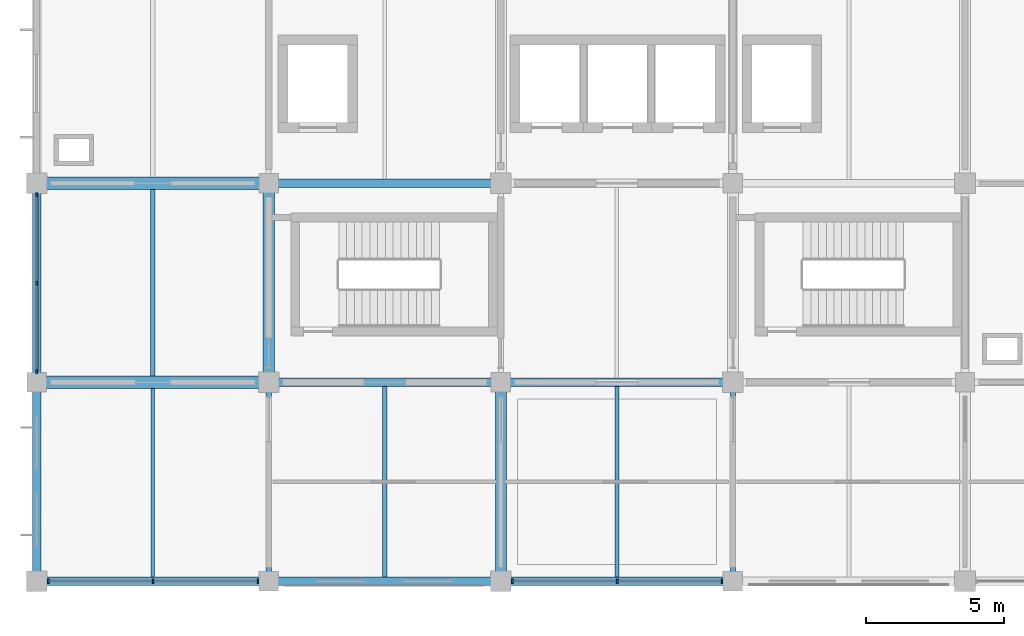
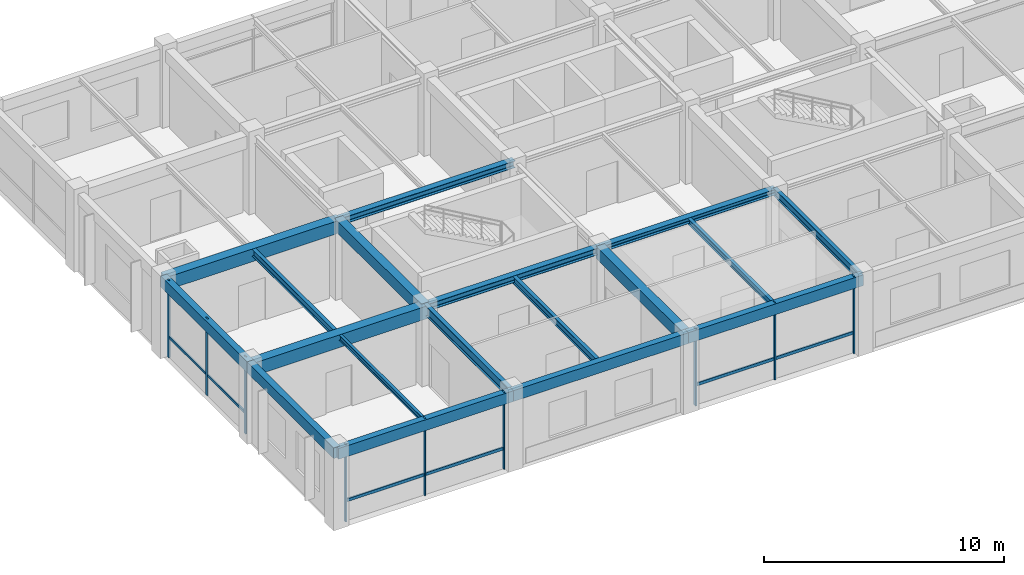
# One storey, part 2 of 14: 18 beams, 15 members, 3 elements without a shape of their own.
"""IFC4 building model written with IfcOpenShell, lengths in metres."""

from ifc_helpers import new_model, si_unit, derived_unit, direction, frame, origin, origin_2d, place, context, subcontext, project, spatial, rectangle, i_section, extrude, material, material_profile, profile_set, type_object, element, aggregate, save


model = new_model("IFC4")

# Units and contexts
model_context = context("Model", 3, precision=1e-05, world=origin(), true_north=direction((0.0, 1.0)))
body_context = subcontext(model_context, "Body", "Model", "MODEL_VIEW")
ifc_project = project(units=[si_unit("LENGTHUNIT", "METRE"), si_unit("AREAUNIT", "SQUARE_METRE"), si_unit("VOLUMEUNIT", "CUBIC_METRE"), si_unit("PLANEANGLEUNIT", "RADIAN"), si_unit("MASSUNIT", "GRAM", prefix="KILO"), derived_unit("THERMALTRANSMITTANCEUNIT", [(si_unit("MASSUNIT", "GRAM", prefix="KILO"), 1), (si_unit("TIMEUNIT", "SECOND"), -3), (si_unit("THERMODYNAMICTEMPERATUREUNIT", "KELVIN"), -1)])], contexts=[model_context])

# Site, building, storey
site_placement = place(None, origin())
site = spatial("IfcSite", under=ifc_project, at=site_placement, CompositionType="ELEMENT")
building_placement = place(site_placement, origin())
building = spatial("IfcBuilding", under=site, at=building_placement, Name="Veldstrom Oceanarium and Marine Research Institute", CompositionType="ELEMENT")
storey_placement = place(building_placement, frame((0.0, 0.0, 35.39990234375)))
storey = spatial("IfcBuildingStorey", under=building, at=storey_placement, Name="L07", CompositionType="ELEMENT", Elevation=35.39990234375)

# Curtain wall, members
ifc_material_1 = material(Name="Anodised Aluminium Framing", Category="aluminium")
curtain_wall_type_1 = type_object("IfcCurtainWallType", Name="ARC-CW-CW04", PredefinedType="USERDEFINED", material=ifc_material_1)
curtain_wall_1_placement = place(storey_placement, origin())
curtain_wall_1 = element("IfcCurtainWall", 1, at=curtain_wall_1_placement, inside=storey, type_object=curtain_wall_type_1, Name="Curtain Wall CW04 CW-L07-112", ObjectType="Curtain wall", PredefinedType="USERDEFINED")
ifc_material_2 = material(Name="Anodised Aluminium Framing", Category="aluminium")
ifc_material_profile_1 = material_profile(ifc_material_2, rectangle(XDim=0.06494140625, YDim=0.14990234375, at=origin_2d()), Name="ALU-MUL-65x150")
ifc_profile_set_1 = profile_set([ifc_material_profile_1], Name="Anodised Aluminium Framing")
member_type_1 = type_object("IfcMemberType", Name="ARC-MUL-ML2", PredefinedType="MULLION", material=ifc_profile_set_1)
member_1_placement = place(storey_placement, frame((67.614990234375, 43.199951171875, 0.0), z_axis=(0.0, 0.0, 1.0), x_axis=(1.0, 0.0, 0.0)))
member_1 = element("IfcMember", 2, at=member_1_placement, type_object=member_type_1, Name="Curtain Wall Mullion CW-L07-112-MUL-1", PredefinedType="MULLION", context=body_context, shape_type="SweptSolid", body=[
    extrude(rectangle(XDim=0.06494140625, YDim=0.14990234375, at=origin_2d()), origin(), (0.0, 0.0, 1.0), 3.920166015625),
])
member_2_placement = place(storey_placement, frame((71.41259765625, 43.199951171875, 0.0), z_axis=(0.0, 0.0, 1.0), x_axis=(1.0, 0.0, 0.0)))
member_2 = element("IfcMember", 3, at=member_2_placement, type_object=member_type_1, Name="Curtain Wall Mullion CW-L07-112-MUL-2", PredefinedType="MULLION", context=body_context, shape_type="SweptSolid", body=[
    extrude(rectangle(XDim=0.06494140625, YDim=0.14990234375, at=origin_2d()), origin(), (0.0, 0.0, 1.0), 3.920166015625),
])
member_3_placement = place(storey_placement, frame((75.2099609375, 43.199951171875, 0.0), z_axis=(0.0, 0.0, 1.0), x_axis=(1.0, 0.0, 0.0)))
member_3 = element("IfcMember", 4, at=member_3_placement, type_object=member_type_1, Name="Curtain Wall Mullion CW-L07-112-MUL-3", PredefinedType="MULLION", context=body_context, shape_type="SweptSolid", body=[
    extrude(rectangle(XDim=0.06494140625, YDim=0.14990234375, at=origin_2d()), origin(), (0.0, 0.0, 1.0), 3.920166015625),
])

ifc_material_3 = material(Name="Anodised Aluminium Framing", Category="aluminium")
curtain_wall_type_2 = type_object("IfcCurtainWallType", Name="ARC-CW-CW08", PredefinedType="USERDEFINED", material=ifc_material_3)
curtain_wall_2_placement = place(storey_placement, origin())
curtain_wall_2 = element("IfcCurtainWall", 5, at=curtain_wall_2_placement, inside=storey, type_object=curtain_wall_type_2, Name="Curtain Wall CW08 CW-L07-113", ObjectType="Curtain wall", PredefinedType="USERDEFINED")
member_4_placement = place(storey_placement, frame((67.199951171875, 50.7900390625, 0.0), z_axis=(0.0, 0.0, 1.0), x_axis=(1.0, 0.0, 0.0)))
member_4 = element("IfcMember", 6, at=member_4_placement, type_object=member_type_1, Name="Curtain Wall Mullion CW-L07-113-MUL-1", PredefinedType="MULLION", context=body_context, shape_type="SweptSolid", body=[
    extrude(rectangle(XDim=0.06494140625, YDim=0.14990234375, at=origin_2d()), origin(), (0.0, 0.0, 1.0), 3.920166015625),
])
member_5_placement = place(storey_placement, frame((67.199951171875, 53.987548828125, 0.0), z_axis=(0.0, 0.0, 1.0), x_axis=(1.0, 0.0, 0.0)))
member_5 = element("IfcMember", 7, at=member_5_placement, type_object=member_type_1, Name="Curtain Wall Mullion CW-L07-113-MUL-2", PredefinedType="MULLION", context=body_context, shape_type="SweptSolid", body=[
    extrude(rectangle(XDim=0.06494140625, YDim=0.14990234375, at=origin_2d()), origin(), (0.0, 0.0, 1.0), 3.920166015625),
])
member_6_placement = place(storey_placement, frame((67.199951171875, 57.18505859375, 0.0), z_axis=(0.0, 0.0, 1.0), x_axis=(1.0, 0.0, 0.0)))
member_6 = element("IfcMember", 8, at=member_6_placement, type_object=member_type_1, Name="Curtain Wall Mullion CW-L07-113-MUL-3", PredefinedType="MULLION", context=body_context, shape_type="SweptSolid", body=[
    extrude(rectangle(XDim=0.06494140625, YDim=0.14990234375, at=origin_2d()), origin(), (0.0, 0.0, 1.0), 3.920166015625),
])

curtain_wall_3_placement = place(storey_placement, origin())
curtain_wall_3 = element("IfcCurtainWall", 9, at=curtain_wall_3_placement, inside=storey, type_object=curtain_wall_type_1, Name="Curtain Wall CW04 CW-L07-116", ObjectType="Curtain wall", PredefinedType="USERDEFINED")
member_7_placement = place(storey_placement, frame((84.4150390625, 43.199951171875, 0.0), z_axis=(0.0, 0.0, 1.0), x_axis=(1.0, 0.0, 0.0)))
member_7 = element("IfcMember", 10, at=member_7_placement, type_object=member_type_1, Name="Curtain Wall Mullion CW-L07-116-MUL-1", PredefinedType="MULLION", context=body_context, shape_type="SweptSolid", body=[
    extrude(rectangle(XDim=0.06494140625, YDim=0.14990234375, at=origin_2d()), origin(), (0.0, 0.0, 1.0), 3.920166015625),
])
member_8_placement = place(storey_placement, frame((88.21240234375, 43.199951171875, 0.0), z_axis=(0.0, 0.0, 1.0), x_axis=(1.0, 0.0, 0.0)))
member_8 = element("IfcMember", 11, at=member_8_placement, type_object=member_type_1, Name="Curtain Wall Mullion CW-L07-116-MUL-2", PredefinedType="MULLION", context=body_context, shape_type="SweptSolid", body=[
    extrude(rectangle(XDim=0.06494140625, YDim=0.14990234375, at=origin_2d()), origin(), (0.0, 0.0, 1.0), 3.920166015625),
])
member_9_placement = place(storey_placement, frame((92.010009765625, 43.199951171875, 0.0), z_axis=(0.0, 0.0, 1.0), x_axis=(1.0, 0.0, 0.0)))
member_9 = element("IfcMember", 12, at=member_9_placement, type_object=member_type_1, Name="Curtain Wall Mullion CW-L07-116-MUL-3", PredefinedType="MULLION", context=body_context, shape_type="SweptSolid", body=[
    extrude(rectangle(XDim=0.06494140625, YDim=0.14990234375, at=origin_2d()), origin(), (0.0, 0.0, 1.0), 3.920166015625),
])

# Member
ifc_material_4 = material(Name="Anodised Aluminium Framing", Category="aluminium")
ifc_material_profile_2 = material_profile(ifc_material_4, rectangle(XDim=0.074951171875, YDim=0.14990234375, at=origin_2d()), Name="ALU-TRN-75x150")
ifc_profile_set_2 = profile_set([ifc_material_profile_2], Name="Anodised Aluminium Framing")
member_type_2 = type_object("IfcMemberType", Name="ARC-TRN-TR1", PredefinedType="USERDEFINED", material=ifc_profile_set_2)
member_10_placement = place(storey_placement, frame((67.655029296875, 43.199951171875, 1.050048828125), z_axis=(1.0, 0.0, 0.0), x_axis=(0.0, 1.0, 0.0)))
member_10 = element("IfcMember", 13, at=member_10_placement, type_object=member_type_2, Name="Curtain Wall Transom CW-L07-112-TRN-1", ObjectType="Transom", PredefinedType="USERDEFINED", context=body_context, shape_type="SweptSolid", body=[
    extrude(rectangle(XDim=0.074951171875, YDim=0.14990234375, at=origin_2d()), origin(), (0.0, 0.0, 1.0), 3.717529296875),
])

member_11_placement = place(storey_placement, frame((71.452392578125, 43.199951171875, 1.050048828125), z_axis=(1.0, 0.0, 0.0), x_axis=(0.0, 1.0, 0.0)))
member_11 = element("IfcMember", 14, at=member_11_placement, type_object=member_type_2, Name="Curtain Wall Transom CW-L07-112-TRN-2", ObjectType="Transom", PredefinedType="USERDEFINED", context=body_context, shape_type="SweptSolid", body=[
    extrude(rectangle(XDim=0.074951171875, YDim=0.14990234375, at=origin_2d()), origin(), (0.0, 0.0, 1.0), 3.717529296875),
])

aggregate(curtain_wall_1, [member_1, member_2, member_3, member_10, member_11])

member_12_placement = place(storey_placement, frame((84.455078125, 43.199951171875, 1.050048828125), z_axis=(1.0, 0.0, 0.0), x_axis=(0.0, 1.0, 0.0)))
member_12 = element("IfcMember", 15, at=member_12_placement, type_object=member_type_2, Name="Curtain Wall Transom CW-L07-116-TRN-1", ObjectType="Transom", PredefinedType="USERDEFINED", context=body_context, shape_type="SweptSolid", body=[
    extrude(rectangle(XDim=0.074951171875, YDim=0.14990234375, at=origin_2d()), origin(), (0.0, 0.0, 1.0), 3.717529296875),
])

member_13_placement = place(storey_placement, frame((88.25244140625, 43.199951171875, 1.050048828125), z_axis=(1.0, 0.0, 0.0), x_axis=(0.0, 1.0, 0.0)))
member_13 = element("IfcMember", 16, at=member_13_placement, type_object=member_type_2, Name="Curtain Wall Transom CW-L07-116-TRN-2", ObjectType="Transom", PredefinedType="USERDEFINED", context=body_context, shape_type="SweptSolid", body=[
    extrude(rectangle(XDim=0.074951171875, YDim=0.14990234375, at=origin_2d()), origin(), (0.0, 0.0, 1.0), 3.717529296875),
])

aggregate(curtain_wall_3, [member_7, member_8, member_9, member_12, member_13])

ifc_material_5 = material(Name="Anodised Aluminium Framing", Category="aluminium")
ifc_material_profile_3 = material_profile(ifc_material_5, rectangle(XDim=0.06494140625, YDim=0.1201171875, at=origin_2d()), Name="ALU-TRN-65x120")
ifc_profile_set_3 = profile_set([ifc_material_profile_3], Name="Anodised Aluminium Framing")
member_type_3 = type_object("IfcMemberType", Name="ARC-TRN-TR2", PredefinedType="USERDEFINED", material=ifc_profile_set_3)
member_14_placement = place(storey_placement, frame((67.199951171875, 50.830078125, 1.050048828125), z_axis=(0.0, 1.0, 0.0), x_axis=(-1.0, 0.0, 0.0)))
member_14 = element("IfcMember", 17, at=member_14_placement, type_object=member_type_3, Name="Curtain Wall Transom CW-L07-113-TRN-1", ObjectType="Transom", PredefinedType="USERDEFINED", context=body_context, shape_type="SweptSolid", body=[
    extrude(rectangle(XDim=0.06494140625, YDim=0.1201171875, at=origin_2d()), origin(), (0.0, 0.0, 1.0), 3.117431640625),
])

member_15_placement = place(storey_placement, frame((67.199951171875, 54.027587890625, 1.050048828125), z_axis=(0.0, 1.0, 0.0), x_axis=(-1.0, 0.0, 0.0)))
member_15 = element("IfcMember", 18, at=member_15_placement, type_object=member_type_3, Name="Curtain Wall Transom CW-L07-113-TRN-2", ObjectType="Transom", PredefinedType="USERDEFINED", context=body_context, shape_type="SweptSolid", body=[
    extrude(rectangle(XDim=0.06494140625, YDim=0.1201171875, at=origin_2d()), origin(), (0.0, 0.0, 1.0), 3.117431640625),
])

aggregate(curtain_wall_2, [member_4, member_5, member_6, member_14, member_15])

# Beams
ifc_material_6 = material(Name="Concrete C40/50", Category="concrete")
ifc_material_profile_4 = material_profile(ifc_material_6, rectangle(XDim=0.449951171875, YDim=0.64990234375, at=origin_2d()), Name="RC-BM-450x650")
ifc_profile_set_4 = profile_set([ifc_material_profile_4], Name="Concrete C40/50")
beam_type_1 = type_object("IfcBeamType", Name="STR-BM-B05", PredefinedType="BEAM", material=ifc_profile_set_4)
for number, where, z_axis, x_axis, name in (
    (19, (67.199951171875, 50.39990234375, 3.590087890625), (1.0, 0.0, 0.0), (0.0, 1.0, 0.0), "Primary Beam B05 L07-2333"),
    (20, (67.199951171875, 57.60009765625, 3.590087890625), (1.0, 0.0, 0.0), (0.0, 1.0, 0.0), "Primary Beam B05 L07-2334"),
):
    element("IfcBeam", number, at=place(storey_placement, frame(where, z_axis=z_axis, x_axis=x_axis)), inside=storey, type_object=beam_type_1, Name=name, PredefinedType="BEAM", context=body_context, shape_type="SweptSolid", body=[
        extrude(rectangle(XDim=0.449951171875, YDim=0.64990234375, at=origin_2d()), origin(), (0.0, 0.0, 1.0), 8.400146484375),
    ])
ifc_material_7 = material(Name="Concrete C40/50", Category="concrete")
ifc_material_profile_5 = material_profile(ifc_material_7, rectangle(XDim=0.39990234375, YDim=0.60009765625, at=origin_2d()), Name="RC-BM-400x600")
ifc_profile_set_5 = profile_set([ifc_material_profile_5], Name="Concrete C40/50")
beam_type_2 = type_object("IfcBeamType", Name="STR-BM-B06", PredefinedType="BEAM", material=ifc_profile_set_5)
beam_1_placement = place(storey_placement, frame((75.60009765625, 50.39990234375, 3.614990234375), z_axis=(0.0, 1.0, 0.0), x_axis=(-1.0, 0.0, 0.0)))
element("IfcBeam", 21, at=beam_1_placement, inside=storey, type_object=beam_type_2, Name="Primary Beam B06 L07-2366", PredefinedType="BEAM", context=body_context, shape_type="SweptSolid", body=[
    extrude(rectangle(XDim=0.39990234375, YDim=0.60009765625, at=origin_2d()), origin(), (0.0, 0.0, 1.0), 7.2001953125),
])
beam_2_placement = place(storey_placement, frame((84.0, 43.199951171875, 3.614990234375), z_axis=(0.0, 1.0, 0.0), x_axis=(-1.0, 0.0, 0.0)))
element("IfcBeam", 22, at=beam_2_placement, inside=storey, type_object=beam_type_2, Name="Primary Beam B06 L07-2369", PredefinedType="BEAM", context=body_context, shape_type="SweptSolid", body=[
    extrude(rectangle(XDim=0.39990234375, YDim=0.60009765625, at=origin_2d()), origin(), (0.0, 0.0, 1.0), 7.199951171875),
])
ifc_material_8 = material(Name="Steel S355JR", Category="steel")
ifc_material_profile_6 = material_profile(ifc_material_8, i_section(OverallWidth=0.300048828125, OverallDepth=0.2900390625, WebThickness=0.008544921875, FlangeThickness=0.013916015625, FilletRadius=0.027099609375, at=origin_2d()), Name="HEA 300")
ifc_profile_set_6 = profile_set([ifc_material_profile_6], Name="Steel S355JR")
beam_type_3 = type_object("IfcBeamType", Name="STR-BM-SB10", PredefinedType="BEAM", material=ifc_profile_set_6)
beam_3_placement = place(storey_placement, frame((84.0, 50.39990234375, 3.77001953125), z_axis=(1.0, 0.0, 0.0), x_axis=(0.0, 1.0, 0.0)))
element("IfcBeam", 23, at=beam_3_placement, inside=storey, type_object=beam_type_3, Name="Steel Floor Girder SB10 L07-2343", PredefinedType="BEAM", context=body_context, shape_type="SweptSolid", body=[
    extrude(i_section(OverallWidth=0.300048828125, OverallDepth=0.2900390625, WebThickness=0.008544921875, FlangeThickness=0.013916015625, FilletRadius=0.027099609375, at=origin_2d()), origin(), (0.0, 0.0, 1.0), 8.39990234375),
])
ifc_material_9 = material(Name="Steel S355JR", Category="steel")
ifc_material_profile_7 = material_profile(ifc_material_9, i_section(OverallWidth=0.199951171875, OverallDepth=0.5, WebThickness=0.01025390625, FlangeThickness=0.01611328125, FilletRadius=0.02099609375, at=origin_2d()), Name="IPE 500")
ifc_profile_set_7 = profile_set([ifc_material_profile_7], Name="Steel S355JR")
beam_type_4 = type_object("IfcBeamType", Name="STR-BM-SB6", PredefinedType="BEAM", material=ifc_profile_set_7)
beam_4_placement = place(storey_placement, frame((75.60009765625, 43.199951171875, 3.6650390625), z_axis=(0.0, 1.0, 0.0), x_axis=(-1.0, 0.0, 0.0)))
element("IfcBeam", 24, at=beam_4_placement, inside=storey, type_object=beam_type_4, Name="Steel Tie Beam SB6 L07-2365", PredefinedType="BEAM", context=body_context, shape_type="SweptSolid", body=[
    extrude(i_section(OverallWidth=0.199951171875, OverallDepth=0.5, WebThickness=0.01025390625, FlangeThickness=0.01611328125, FilletRadius=0.02099609375, at=origin_2d()), origin(), (0.0, 0.0, 1.0), 7.199951171875),
])
ifc_material_10 = material(Name="Steel S355JR", Category="steel")
ifc_material_profile_8 = material_profile(ifc_material_10, i_section(OverallWidth=0.179931640625, OverallDepth=0.39990234375, WebThickness=0.008544921875, FlangeThickness=0.013427734375, FilletRadius=0.02099609375, at=origin_2d()), Name="IPE 400")
ifc_profile_set_8 = profile_set([ifc_material_profile_8], Name="Steel S355JR")
beam_type_5 = type_object("IfcBeamType", Name="STR-BM-SB8", PredefinedType="BEAM", material=ifc_profile_set_8)
beam_5_placement = place(storey_placement, frame((92.39990234375, 43.199951171875, 3.715087890625), z_axis=(0.0, 1.0, 0.0), x_axis=(-1.0, 0.0, 0.0)))
element("IfcBeam", 25, at=beam_5_placement, inside=storey, type_object=beam_type_5, Name="Steel Tie Beam SB8 L07-2373", PredefinedType="BEAM", context=body_context, shape_type="SweptSolid", body=[
    extrude(i_section(OverallWidth=0.179931640625, OverallDepth=0.39990234375, WebThickness=0.008544921875, FlangeThickness=0.013427734375, FilletRadius=0.02099609375, at=origin_2d()), origin(), (0.0, 0.0, 1.0), 7.199951171875),
])
ifc_material_11 = material(Name="Steel S355JR", Category="steel")
ifc_material_profile_9 = material_profile(ifc_material_11, i_section(OverallWidth=0.300048828125, OverallDepth=0.35009765625, WebThickness=0.010009765625, FlangeThickness=0.017578125, FilletRadius=0.027099609375, at=origin_2d()), Name="HEA 360")
ifc_profile_set_9 = profile_set([ifc_material_profile_9], Name="Steel S355JR")
beam_type_6 = type_object("IfcBeamType", Name="STR-BM-SB9", PredefinedType="BEAM", material=ifc_profile_set_9)
for number, where, z_axis, x_axis, name in (
    (26, (75.60009765625, 50.39990234375, 3.739990234375), (1.0, 0.0, 0.0), (0.0, 1.0, 0.0), "Steel Floor Girder SB9 L07-2338"),
    (27, (75.60009765625, 57.60009765625, 3.739990234375), (1.0, 0.0, 0.0), (0.0, 1.0, 0.0), "Steel Floor Girder SB9 L07-2339"),
):
    element("IfcBeam", number, at=place(storey_placement, frame(where, z_axis=z_axis, x_axis=x_axis)), inside=storey, type_object=beam_type_6, Name=name, PredefinedType="BEAM", context=body_context, shape_type="SweptSolid", body=[
        extrude(i_section(OverallWidth=0.300048828125, OverallDepth=0.35009765625, WebThickness=0.010009765625, FlangeThickness=0.017578125, FilletRadius=0.027099609375, at=origin_2d()), origin(), (0.0, 0.0, 1.0), 8.39990234375),
    ])
ifc_material_12 = material(Name="Steel S355JR", Category="steel")
ifc_material_profile_10 = material_profile(ifc_material_12, i_section(OverallWidth=0.169921875, OverallDepth=0.360107421875, WebThickness=0.008056640625, FlangeThickness=0.0126953125, FilletRadius=0.01806640625, at=origin_2d()), Name="IPE 360")
ifc_profile_set_10 = profile_set([ifc_material_profile_10], Name="Steel S355JR")
beam_type_7 = type_object("IfcBeamType", Name="STR-JST-SJ1", PredefinedType="JOIST", material=ifc_profile_set_10)
beam_6_placement = place(storey_placement, frame((71.39990234375, 50.625, 3.735107421875), z_axis=(0.0, 1.0, 0.0), x_axis=(-1.0, 0.0, 0.0)))
element("IfcBeam", 28, at=beam_6_placement, inside=storey, type_object=beam_type_7, Name="Secondary Joist SJ1 L07-2389", PredefinedType="JOIST", context=body_context, shape_type="SweptSolid", body=[
    extrude(i_section(OverallWidth=0.169921875, OverallDepth=0.360107421875, WebThickness=0.008056640625, FlangeThickness=0.0126953125, FilletRadius=0.01806640625, at=origin_2d()), origin(), (0.0, 0.0, 1.0), 6.75),
])
beam_7_placement = place(storey_placement, frame((79.800048828125, 43.35009765625, 3.735107421875), z_axis=(0.0, 1.0, 0.0), x_axis=(-1.0, 0.0, 0.0)))
element("IfcBeam", 29, at=beam_7_placement, inside=storey, type_object=beam_type_7, Name="Secondary Joist SJ1 L07-2392", PredefinedType="JOIST", context=body_context, shape_type="SweptSolid", body=[
    extrude(i_section(OverallWidth=0.169921875, OverallDepth=0.360107421875, WebThickness=0.008056640625, FlangeThickness=0.0126953125, FilletRadius=0.01806640625, at=origin_2d()), origin(), (0.0, 0.0, 1.0), 6.89990234375),
])
ifc_material_13 = material(Name="Steel S355JR", Category="steel")
ifc_material_profile_11 = material_profile(ifc_material_13, i_section(OverallWidth=0.14990234375, OverallDepth=0.300048828125, WebThickness=0.007080078125, FlangeThickness=0.0107421875, FilletRadius=0.014892578125, at=origin_2d()), Name="IPE 300")
ifc_profile_set_11 = profile_set([ifc_material_profile_11], Name="Steel S355JR")
beam_type_8 = type_object("IfcBeamType", Name="STR-JST-SJ2", PredefinedType="JOIST", material=ifc_profile_set_11)
beam_8_placement = place(storey_placement, frame((88.199951171875, 43.35009765625, 3.76513671875), z_axis=(0.0, 1.0, 0.0), x_axis=(-1.0, 0.0, 0.0)))
element("IfcBeam", 30, at=beam_8_placement, inside=storey, type_object=beam_type_8, Name="Secondary Joist SJ2 L07-2395", PredefinedType="JOIST", context=body_context, shape_type="SweptSolid", body=[
    extrude(i_section(OverallWidth=0.14990234375, OverallDepth=0.300048828125, WebThickness=0.007080078125, FlangeThickness=0.0107421875, FilletRadius=0.014892578125, at=origin_2d()), origin(), (0.0, 0.0, 1.0), 6.89990234375),
])
ifc_material_14 = material(Name="Steel S355JR", Category="steel")
ifc_material_profile_12 = material_profile(ifc_material_14, i_section(OverallWidth=0.135009765625, OverallDepth=0.27001953125, WebThickness=0.006591796875, FlangeThickness=0.01025390625, FilletRadius=0.014892578125, at=origin_2d()), Name="IPE 270")
ifc_profile_set_12 = profile_set([ifc_material_profile_12], Name="Steel S355JR")
beam_type_9 = type_object("IfcBeamType", Name="STR-JST-SJ3", PredefinedType="JOIST", material=ifc_profile_set_12)
beam_9_placement = place(storey_placement, frame((71.39990234375, 43.35009765625, 3.780029296875), z_axis=(0.0, 1.0, 0.0), x_axis=(-1.0, 0.0, 0.0)))
element("IfcBeam", 31, at=beam_9_placement, inside=storey, type_object=beam_type_9, Name="Secondary Joist SJ3 L07-2388", PredefinedType="JOIST", context=body_context, shape_type="SweptSolid", body=[
    extrude(i_section(OverallWidth=0.135009765625, OverallDepth=0.27001953125, WebThickness=0.006591796875, FlangeThickness=0.01025390625, FilletRadius=0.014892578125, at=origin_2d()), origin(), (0.0, 0.0, 1.0), 6.824951171875),
])
ifc_material_15 = material(Name="Concrete C40/50", Category="concrete")
ifc_material_profile_13 = material_profile(ifc_material_15, rectangle(XDim=0.300048828125, YDim=0.550048828125, at=origin_2d()), Name="RC-SPN-300x550")
ifc_profile_set_13 = profile_set([ifc_material_profile_13], Name="Concrete C40/50")
beam_type_10 = type_object("IfcBeamType", Name="STR-SPN-SP2", PredefinedType="SPANDREL", material=ifc_profile_set_13)
beam_10_placement = place(storey_placement, frame((67.199951171875, 43.199951171875, 3.64013671875), z_axis=(1.0, 0.0, 0.0), x_axis=(0.0, 1.0, 0.0)))
element("IfcBeam", 32, at=beam_10_placement, inside=storey, type_object=beam_type_10, Name="Perimeter Spandrel SPB2 L07-2332", PredefinedType="SPANDREL", context=body_context, shape_type="SweptSolid", body=[
    extrude(rectangle(XDim=0.300048828125, YDim=0.550048828125, at=origin_2d()), origin(), (0.0, 0.0, 1.0), 8.400146484375),
])
for number, where, z_axis, x_axis, name in (
    (33, (75.60009765625, 43.199951171875, 3.64013671875), (1.0, 0.0, 0.0), (0.0, 1.0, 0.0), "Perimeter Spandrel SPB2 L07-2337"),
    (34, (84.0, 43.199951171875, 3.64013671875), (1.0, 0.0, 0.0), (0.0, 1.0, 0.0), "Perimeter Spandrel SPB2 L07-2342"),
):
    element("IfcBeam", number, at=place(storey_placement, frame(where, z_axis=z_axis, x_axis=x_axis)), inside=storey, type_object=beam_type_10, Name=name, PredefinedType="SPANDREL", context=body_context, shape_type="SweptSolid", body=[
        extrude(rectangle(XDim=0.300048828125, YDim=0.550048828125, at=origin_2d()), origin(), (0.0, 0.0, 1.0), 8.39990234375),
    ])
beam_11_placement = place(storey_placement, frame((67.199951171875, 43.199951171875, 3.64013671875), z_axis=(0.0, 1.0, 0.0), x_axis=(-1.0, 0.0, 0.0)))
element("IfcBeam", 35, at=beam_11_placement, inside=storey, type_object=beam_type_10, Name="Perimeter Spandrel SPB2 L07-2361", PredefinedType="SPANDREL", context=body_context, shape_type="SweptSolid", body=[
    extrude(rectangle(XDim=0.300048828125, YDim=0.550048828125, at=origin_2d()), origin(), (0.0, 0.0, 1.0), 7.199951171875),
])
beam_12_placement = place(storey_placement, frame((67.199951171875, 50.39990234375, 3.64013671875), z_axis=(0.0, 1.0, 0.0), x_axis=(-1.0, 0.0, 0.0)))
element("IfcBeam", 36, at=beam_12_placement, inside=storey, type_object=beam_type_10, Name="Perimeter Spandrel SPB2 L07-2362", PredefinedType="SPANDREL", context=body_context, shape_type="SweptSolid", body=[
    extrude(rectangle(XDim=0.300048828125, YDim=0.550048828125, at=origin_2d()), origin(), (0.0, 0.0, 1.0), 7.2001953125),
])

save(model, "model.ifc")
